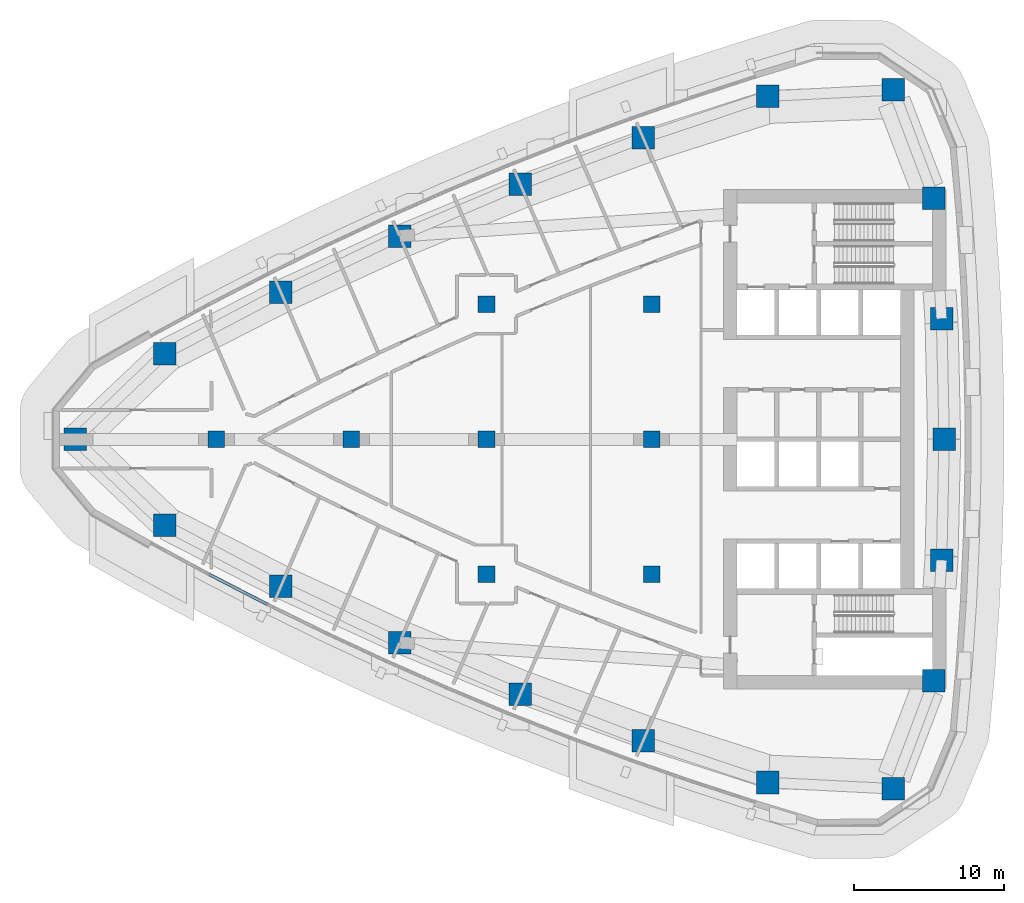
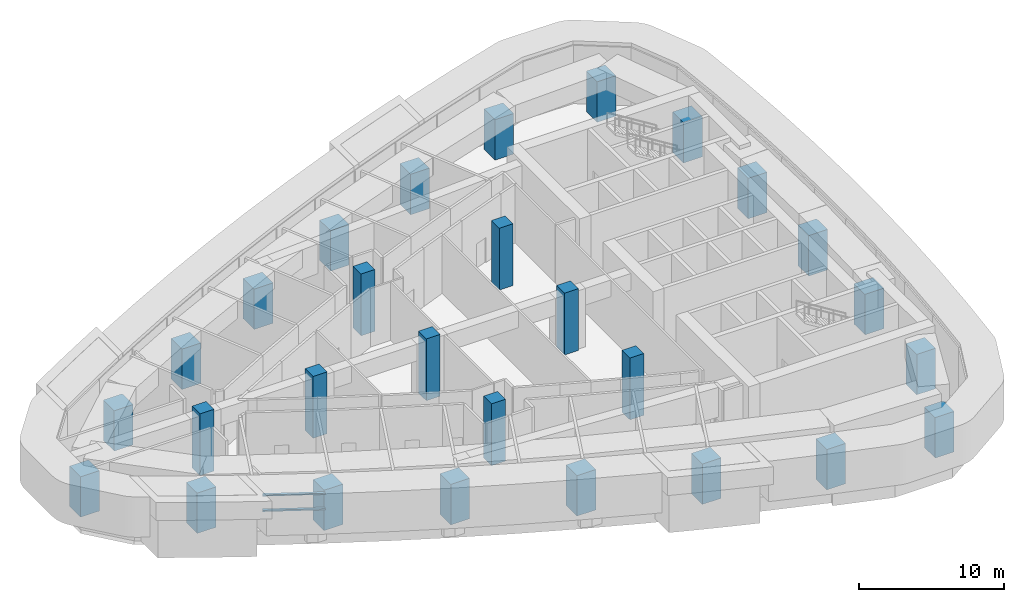
# One storey, part 1 of 18: 28 columns, 2 members, 1 element without a shape of its own.
"""IFC4 building model written with IfcOpenShell, lengths in metres."""

from ifc_helpers import new_model, si_unit, direction, frame, origin, origin_2d, place, context, subcontext, project, spatial, rectangle, extrude, material, layer, layer_set, material_profile, profile_set, type_object, element, aggregate, save


model = new_model("IFC4")

# Units and contexts
model_context = context("Model", 3, precision=1e-05, world=origin(), true_north=direction((0.0, 1.0)))
body_context = subcontext(model_context, "Body", "Model", "MODEL_VIEW")
ifc_project = project(units=[si_unit("LENGTHUNIT", "METRE"), si_unit("AREAUNIT", "SQUARE_METRE"), si_unit("VOLUMEUNIT", "CUBIC_METRE"), si_unit("PLANEANGLEUNIT", "RADIAN"), si_unit("MASSUNIT", "GRAM", prefix="KILO")], contexts=[model_context])

# Site, building, storey
site_placement = place(None, origin())
site = spatial("IfcSite", under=ifc_project, at=site_placement, CompositionType="ELEMENT")
building_placement = place(site_placement, origin())
building = spatial("IfcBuilding", under=site, at=building_placement, Name="Ostrand Prow Hotel Tower", CompositionType="ELEMENT")
storey_placement = place(building_placement, frame((0.0, 0.0, 165.699951171875)))
storey = spatial("IfcBuildingStorey", under=building, at=storey_placement, Name="L41", CompositionType="ELEMENT", Elevation=165.699951171875)

# Columns
ifc_material_1 = material(Name="Concrete C70/85", Category="concrete")
ifc_material_profile_1 = material_profile(ifc_material_1, rectangle(XDim=1.10009765625, YDim=1.10009765625, at=origin_2d()), Name="RC 1100x1100")
ifc_profile_set_1 = profile_set([ifc_material_profile_1], Name="Concrete C70/85")
column_type_1 = type_object("IfcColumnType", Name="Interior column 1100x1100 C70/85", PredefinedType="COLUMN", material=ifc_profile_set_1)
for number, where, z_axis, x_axis, name in (
    (1, (16.0, 0.0, 0.0), (0.0, 0.0, 1.0), (1.0, 0.0, 0.0), "Interior column 16C0"),
    (2, (25.0, 0.0, 0.0), (0.0, 0.0, 1.0), (1.0, 0.0, 0.0), "Interior column 25C0"),
    (3, (34.0, -9.0, 0.0), (0.0, 0.0, 1.0), (1.0, 0.0, 0.0), "Interior column 34S9"),
    (4, (34.0, 0.0, 0.0), (0.0, 0.0, 1.0), (1.0, 0.0, 0.0), "Interior column 34C0"),
    (5, (34.0, 9.0, 0.0), (0.0, 0.0, 1.0), (1.0, 0.0, 0.0), "Interior column 34N9"),
    (6, (45.0, -9.0, 0.0), (0.0, 0.0, 1.0), (1.0, 0.0, 0.0), "Interior column 45S9"),
    (7, (45.0, 0.0, 0.0), (0.0, 0.0, 1.0), (1.0, 0.0, 0.0), "Interior column 45C0"),
    (8, (45.0, 9.0, 0.0), (0.0, 0.0, 1.0), (1.0, 0.0, 0.0), "Interior column 45N9"),
):
    element("IfcColumn", number, at=place(storey_placement, frame(where, z_axis=z_axis, x_axis=x_axis)), inside=storey, type_object=column_type_1, Name=name, PredefinedType="COLUMN", context=body_context, shape_type="SweptSolid", body=[
        extrude(rectangle(XDim=1.10009765625, YDim=1.10009765625, at=origin_2d()), origin(), (0.0, 0.0, 1.0), 5.199951171875),
    ])
ifc_material_2 = material(Name="Concrete C70/85", Category="concrete")
ifc_material_profile_2 = material_profile(ifc_material_2, rectangle(XDim=1.5, YDim=1.5, at=origin_2d()), Name="RC 1500x1500")
ifc_profile_set_2 = profile_set([ifc_material_profile_2], Name="Concrete C70/85")
column_type_2 = type_object("IfcColumnType", Name="Stone-faced mega column 1500x1500 C70/85", PredefinedType="COLUMN", material=ifc_profile_set_2)
for number, where, z_axis, x_axis, name in (
    (9, (6.580078125, 0.0, 0.0), (0.0, 0.0, 1.0), (1.0, 0.0, 0.0), "Mega column P"),
    (10, (12.55322265625, -5.712646484375, 0.0), (0.0, 0.0, 1.0), (1.0, 0.0, 0.0), "Mega column S1"),
    (11, (20.300048828125, -9.787841796875, 0.0), (0.0, 0.0, 1.0), (1.0, 0.0, 0.0), "Mega column S2"),
    (12, (28.205078125, -13.547119140625, 0.0), (0.0, 0.0, 1.0), (1.0, 0.0, 0.0), "Mega column S3"),
    (13, (36.255615234375, -16.98388671875, 0.0), (0.0, 0.0, 1.0), (1.0, 0.0, 0.0), "Mega column S4"),
    (14, (44.438232421875, -20.093017578125, 0.0), (0.0, 0.0, 1.0), (1.0, 0.0, 0.0), "Mega column S5"),
    (15, (52.73974609375, -22.869140625, 0.0), (0.0, 0.0, 1.0), (1.0, 0.0, 0.0), "Mega column S6"),
    (16, (61.117431640625, -23.29052734375, 0.0), (0.0, 0.0, 1.0), (1.0, 0.0, 0.0), "Mega column SE"),
    (17, (63.818603515625, -16.074951171875, 0.0), (0.0, 0.0, 1.0), (1.0, 0.0, 0.0), "Mega column B1"),
    (18, (64.32958984375, -8.044677734375, 0.0), (0.0, 0.0, 1.0), (1.0, 0.0, 0.0), "Mega column B2"),
    (19, (64.5, 0.0, 0.0), (0.0, 0.0, 1.0), (1.0, 0.0, 0.0), "Mega column B3"),
    (20, (64.32958984375, 8.044677734375, 0.0), (0.0, 0.0, 1.0), (1.0, 0.0, 0.0), "Mega column B4"),
    (21, (63.818603515625, 16.074951171875, 0.0), (0.0, 0.0, 1.0), (1.0, 0.0, 0.0), "Mega column B5"),
    (22, (61.117431640625, 23.29052734375, 0.0), (0.0, 0.0, 1.0), (1.0, 0.0, 0.0), "Mega column NE"),
    (23, (52.73974609375, 22.869140625, 0.0), (0.0, 0.0, 1.0), (1.0, 0.0, 0.0), "Mega column N1"),
    (24, (44.438232421875, 20.093017578125, 0.0), (0.0, 0.0, 1.0), (1.0, 0.0, 0.0), "Mega column N2"),
    (25, (36.255615234375, 16.98388671875, 0.0), (0.0, 0.0, 1.0), (1.0, 0.0, 0.0), "Mega column N3"),
    (26, (28.205078125, 13.547119140625, 0.0), (0.0, 0.0, 1.0), (1.0, 0.0, 0.0), "Mega column N4"),
    (27, (20.300048828125, 9.787841796875, 0.0), (0.0, 0.0, 1.0), (1.0, 0.0, 0.0), "Mega column N5"),
    (28, (12.55322265625, 5.712646484375, 0.0), (0.0, 0.0, 1.0), (1.0, 0.0, 0.0), "Mega column N6"),
):
    element("IfcColumn", number, at=place(storey_placement, frame(where, z_axis=z_axis, x_axis=x_axis)), inside=storey, type_object=column_type_2, Name=name, PredefinedType="COLUMN", context=body_context, shape_type="SweptSolid", body=[
        extrude(rectangle(XDim=1.5, YDim=1.5, at=origin_2d()), origin(), (0.0, 0.0, 1.0), 3.400146484375),
    ])

# Curtain wall, members
ifc_material_3 = material(Name="Insulated glass in bronze anodised frame", Category="glass")
ifc_layer = layer(ifc_material_3, 0.199951171875)
ifc_layer_set = layer_set([ifc_layer], Name="Insulated glass in bronze anodised frame")
curtain_wall_type = type_object("IfcCurtainWallType", Name="Plant storey louvre wall", PredefinedType="NOTDEFINED", material=ifc_layer_set)
curtain_wall_placement = place(storey_placement, origin())
curtain_wall = element("IfcCurtainWall", 29, at=curtain_wall_placement, inside=storey, type_object=curtain_wall_type, Name="CW7 run CWS1", PredefinedType="NOTDEFINED")
ifc_material_4 = material(Name="Bronze anodised aluminium", Category="aluminium")
ifc_material_profile_3 = material_profile(ifc_material_4, rectangle(XDim=0.199951171875, YDim=0.1201171875, at=origin_2d()), Name="Transom 120x200 bronze anodised aluminium")
ifc_profile_set_3 = profile_set([ifc_material_profile_3], Name="Bronze anodised aluminium")
member_type = type_object("IfcMemberType", Name="Transom 120x200 bronze anodised aluminium", PredefinedType="USERDEFINED", material=ifc_profile_set_3)
member_1_placement = place(storey_placement, frame((15.528564453125, -9.00830078125, 2.199951171875), z_axis=(0.88914020052, -0.457634902318, 0.0), x_axis=(0.457634902318, 0.88914020052, 0.0)))
member_1 = element("IfcMember", 30, at=member_1_placement, type_object=member_type, Name="CW7 transom 2.1", ObjectType="TRANSOM", PredefinedType="USERDEFINED", context=body_context, shape_type="SweptSolid", body=[
    extrude(rectangle(XDim=0.199951171875, YDim=0.1201171875, at=origin_2d()), origin(), (0.0, 0.0, 1.0), 4.325927734375),
])
member_2_placement = place(storey_placement, frame((15.528564453125, -9.00830078125, 3.5), z_axis=(0.88914020052, -0.457634902318, 0.0), x_axis=(0.457634902318, 0.88914020052, 0.0)))
member_2 = element("IfcMember", 31, at=member_2_placement, type_object=member_type, Name="CW7 transom 2.2", ObjectType="TRANSOM", PredefinedType="USERDEFINED", context=body_context, shape_type="SweptSolid", body=[
    extrude(rectangle(XDim=0.199951171875, YDim=0.1201171875, at=origin_2d()), origin(), (0.0, 0.0, 1.0), 4.325927734375),
])
aggregate(curtain_wall, [member_1, member_2])

save(model, "model.ifc")
